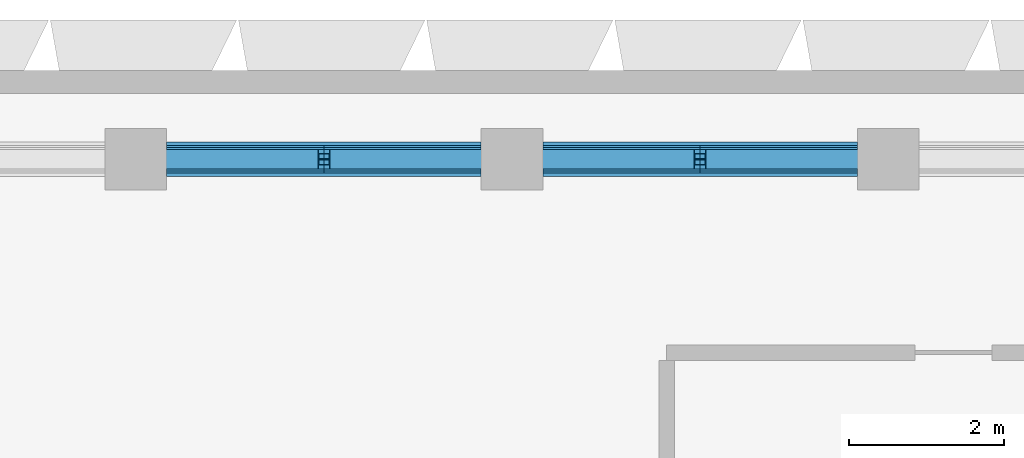
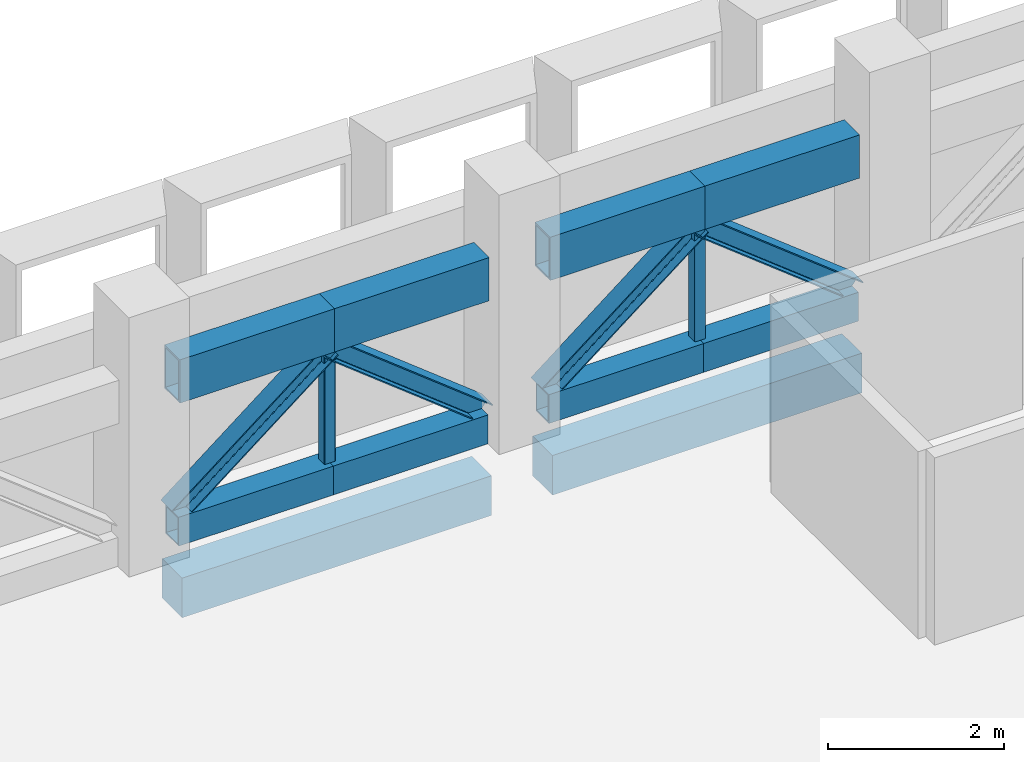
# One storey, part 8 of 24: 14 members, 2 beams.
"""IFC4 building model written with IfcOpenShell, lengths in metres."""

from ifc_helpers import new_model, si_unit, direction, frame, origin, origin_2d, place, context, subcontext, project, spatial, rectangle, hollow_rectangle, i_section, extrude, material, material_profile, profile_set, type_object, element, save


model = new_model("IFC4")

# Units and contexts
model_context = context("Model", 3, precision=1e-05, world=origin(), true_north=direction((0.0, 1.0)))
body_context = subcontext(model_context, "Body", "Model", "MODEL_VIEW")
ifc_project = project(units=[si_unit("LENGTHUNIT", "METRE"), si_unit("AREAUNIT", "SQUARE_METRE"), si_unit("VOLUMEUNIT", "CUBIC_METRE"), si_unit("PLANEANGLEUNIT", "RADIAN"), si_unit("MASSUNIT", "GRAM", prefix="KILO")], contexts=[model_context])

# Site, building, storey
site_placement = place(None, origin())
site = spatial("IfcSite", under=ifc_project, at=site_placement, CompositionType="ELEMENT")
building_placement = place(site_placement, origin())
building = spatial("IfcBuilding", under=site, at=building_placement, Name="Beryl Residences", CompositionType="ELEMENT")
storey_placement = place(building_placement, frame((0.0, 0.0, 199.199951171875)))
storey = spatial("IfcBuildingStorey", under=building, at=storey_placement, Name="L61", CompositionType="ELEMENT", Elevation=199.199951171875)

# Members
ifc_material_1 = material(Name="Steel S355", Category="steel")
ifc_material_profile_1 = material_profile(ifc_material_1, hollow_rectangle(XDim=0.300048828125, YDim=0.39990234375, WallThickness=0.02001953125, at=origin_2d()))
ifc_profile_set_1 = profile_set([ifc_material_profile_1], Name="Steel S355")
member_type_1 = type_object("IfcMemberType", Name="BB4 belt truss bottom chord WB 400x300x20", PredefinedType="CHORD", material=ifc_profile_set_1)
member_1_placement = place(storey_placement, frame((4.464111328125, 23.050048828125, 0.199951171875), z_axis=(-1.0, 0.0, 0.0), x_axis=(0.0, -1.0, 0.0)))
element("IfcMember", 1, at=member_1_placement, inside=storey, type_object=member_type_1, Name="Belt truss BB4-N-1a L61", PredefinedType="CHORD", context=body_context, shape_type="SweptSolid", body=[
    extrude(hollow_rectangle(XDim=0.300048828125, YDim=0.39990234375, WallThickness=0.02001953125, at=origin_2d()), origin(), (0.0, 0.0, 1.0), 2.0322265625),
])
for number, where, z_axis, x_axis, name in (
    (2, (2.431884765625, 23.050048828125, 0.199951171875), (-1.0, 0.0, 0.0), (0.0, -1.0, 0.0), "Belt truss BB4-N-1b L61"),
    (3, (-0.39990234375, 23.050048828125, 0.199951171875), (-1.0, 0.0, 0.0), (0.0, -1.0, 0.0), "Belt truss BB4-N-2a L61"),
):
    element("IfcMember", number, at=place(storey_placement, frame(where, z_axis=z_axis, x_axis=x_axis)), inside=storey, type_object=member_type_1, Name=name, PredefinedType="CHORD", context=body_context, shape_type="SweptSolid", body=[
        extrude(hollow_rectangle(XDim=0.300048828125, YDim=0.39990234375, WallThickness=0.02001953125, at=origin_2d()), origin(), (0.0, 0.0, 1.0), 2.031982421875),
    ])
member_2_placement = place(storey_placement, frame((-2.431884765625, 23.050048828125, 0.199951171875), z_axis=(-1.0, 0.0, 0.0), x_axis=(0.0, -1.0, 0.0)))
element("IfcMember", 4, at=member_2_placement, inside=storey, type_object=member_type_1, Name="Belt truss BB4-N-2b L61", PredefinedType="CHORD", context=body_context, shape_type="SweptSolid", body=[
    extrude(hollow_rectangle(XDim=0.300048828125, YDim=0.39990234375, WallThickness=0.02001953125, at=origin_2d()), origin(), (0.0, 0.0, 1.0), 2.0322265625),
])
ifc_material_2 = material(Name="Steel S355", Category="steel")
ifc_material_profile_2 = material_profile(ifc_material_2, i_section(OverallWidth=0.25390625, OverallDepth=0.25390625, WebThickness=0.008544921875, FlangeThickness=0.01416015625, FilletRadius=0.013916015625, at=origin_2d()))
ifc_profile_set_2 = profile_set([ifc_material_profile_2], Name="Steel S355")
member_type_2 = type_object("IfcMemberType", Name="BD4 belt truss diagonal 250UC73", PredefinedType="BRACE", material=ifc_profile_set_2)
member_3_placement = place(storey_placement, frame((4.464111328125, 23.050048828125, 0.400146484375), z_axis=(-0.785734949929, 0.0, 0.618563326152), x_axis=(0.0, -1.0, 0.0)))
element("IfcMember", 5, at=member_3_placement, inside=storey, type_object=member_type_2, Name="Belt truss BD4-N-1a L61", PredefinedType="BRACE", context=body_context, shape_type="SweptSolid", body=[
    extrude(i_section(OverallWidth=0.25390625, OverallDepth=0.25390625, WebThickness=0.008544921875, FlangeThickness=0.01416015625, FilletRadius=0.013916015625, at=origin_2d()), origin(), (0.0, 0.0, 1.0), 2.58642578125),
])
for number, where, z_axis, x_axis, name in (
    (6, (0.39990234375, 23.050048828125, 0.400146484375), (0.785698828855, 0.0, 0.618609206475), (0.0, 1.0, 0.0), "Belt truss BD4-N-1b L61"),
    (7, (-0.39990234375, 23.050048828125, 0.400146484375), (-0.785698828855, 0.0, 0.618609206475), (0.0, -1.0, 0.0), "Belt truss BD4-N-2a L61"),
):
    element("IfcMember", number, at=place(storey_placement, frame(where, z_axis=z_axis, x_axis=x_axis)), inside=storey, type_object=member_type_2, Name=name, PredefinedType="BRACE", context=body_context, shape_type="SweptSolid", body=[
        extrude(i_section(OverallWidth=0.25390625, OverallDepth=0.25390625, WebThickness=0.008544921875, FlangeThickness=0.01416015625, FilletRadius=0.013916015625, at=origin_2d()), origin(), (0.0, 0.0, 1.0), 2.586181640625),
    ])
member_4_placement = place(storey_placement, frame((-4.464111328125, 23.050048828125, 0.400146484375), z_axis=(0.785734949929, 0.0, 0.618563326152), x_axis=(0.0, 1.0, 0.0)))
element("IfcMember", 8, at=member_4_placement, inside=storey, type_object=member_type_2, Name="Belt truss BD4-N-2b L61", PredefinedType="BRACE", context=body_context, shape_type="SweptSolid", body=[
    extrude(i_section(OverallWidth=0.25390625, OverallDepth=0.25390625, WebThickness=0.008544921875, FlangeThickness=0.01416015625, FilletRadius=0.013916015625, at=origin_2d()), origin(), (0.0, 0.0, 1.0), 2.58642578125),
])
ifc_material_3 = material(Name="Steel S355", Category="steel")
ifc_material_profile_3 = material_profile(ifc_material_3, hollow_rectangle(XDim=0.14990234375, YDim=0.14990234375, WallThickness=0.009033203125, InnerFilletRadius=0.009033203125, OuterFilletRadius=0.01806640625, at=origin_2d()))
ifc_profile_set_3 = profile_set([ifc_material_profile_3], Name="Steel S355")
member_type_3 = type_object("IfcMemberType", Name="BQ4 belt truss post SHS 150x150x9", PredefinedType="POST", material=ifc_profile_set_3)
for number, where, z_axis, x_axis, name in (
    (9, (2.431884765625, 23.050048828125, 0.400146484375), (0.0, 0.0, 1.0), (1.0, 0.0, 0.0), "Belt truss BQ4-N-1 L61"),
    (10, (-2.431884765625, 23.050048828125, 0.400146484375), (0.0, 0.0, 1.0), (1.0, 0.0, 0.0), "Belt truss BQ4-N-2 L61"),
):
    element("IfcMember", number, at=place(storey_placement, frame(where, z_axis=z_axis, x_axis=x_axis)), inside=storey, type_object=member_type_3, Name=name, PredefinedType="POST", context=body_context, shape_type="SweptSolid", body=[
        extrude(hollow_rectangle(XDim=0.14990234375, YDim=0.14990234375, WallThickness=0.009033203125, InnerFilletRadius=0.009033203125, OuterFilletRadius=0.01806640625, at=origin_2d()), origin(), (0.0, 0.0, 1.0), 1.599853515625),
    ])
ifc_material_4 = material(Name="Steel S355", Category="steel")
ifc_material_profile_4 = material_profile(ifc_material_4, hollow_rectangle(XDim=0.35009765625, YDim=0.60009765625, WallThickness=0.02490234375, at=origin_2d()))
ifc_profile_set_4 = profile_set([ifc_material_profile_4], Name="Steel S355")
member_type_4 = type_object("IfcMemberType", Name="BT4 belt truss top chord WB 600x350x25", PredefinedType="CHORD", material=ifc_profile_set_4)
member_5_placement = place(storey_placement, frame((4.464111328125, 23.050048828125, 2.300048828125), z_axis=(-1.0, 0.0, 0.0), x_axis=(0.0, -1.0, 0.0)))
element("IfcMember", 11, at=member_5_placement, inside=storey, type_object=member_type_4, Name="Belt truss BT4-N-1a L61", PredefinedType="CHORD", context=body_context, shape_type="SweptSolid", body=[
    extrude(hollow_rectangle(XDim=0.35009765625, YDim=0.60009765625, WallThickness=0.02490234375, at=origin_2d()), origin(), (0.0, 0.0, 1.0), 2.0322265625),
])
for number, where, z_axis, x_axis, name in (
    (12, (2.431884765625, 23.050048828125, 2.300048828125), (-1.0, 0.0, 0.0), (0.0, -1.0, 0.0), "Belt truss BT4-N-1b L61"),
    (13, (-0.39990234375, 23.050048828125, 2.300048828125), (-1.0, 0.0, 0.0), (0.0, -1.0, 0.0), "Belt truss BT4-N-2a L61"),
):
    element("IfcMember", number, at=place(storey_placement, frame(where, z_axis=z_axis, x_axis=x_axis)), inside=storey, type_object=member_type_4, Name=name, PredefinedType="CHORD", context=body_context, shape_type="SweptSolid", body=[
        extrude(hollow_rectangle(XDim=0.35009765625, YDim=0.60009765625, WallThickness=0.02490234375, at=origin_2d()), origin(), (0.0, 0.0, 1.0), 2.031982421875),
    ])
member_6_placement = place(storey_placement, frame((-2.431884765625, 23.050048828125, 2.300048828125), z_axis=(-1.0, 0.0, 0.0), x_axis=(0.0, -1.0, 0.0)))
element("IfcMember", 14, at=member_6_placement, inside=storey, type_object=member_type_4, Name="Belt truss BT4-N-2b L61", PredefinedType="CHORD", context=body_context, shape_type="SweptSolid", body=[
    extrude(hollow_rectangle(XDim=0.35009765625, YDim=0.60009765625, WallThickness=0.02490234375, at=origin_2d()), origin(), (0.0, 0.0, 1.0), 2.0322265625),
])

# Beams
ifc_material_5 = material(Name="Concrete C50/60", Category="concrete")
ifc_material_profile_5 = material_profile(ifc_material_5, rectangle(XDim=0.449951171875, YDim=0.550048828125, at=origin_2d()))
ifc_profile_set_5 = profile_set([ifc_material_profile_5], Name="Concrete C50/60")
beam_type = type_object("IfcBeamType", Name="SB4 spandrel beam 450 x 550 C50/60", PredefinedType="SPANDREL", material=ifc_profile_set_5)
for number, where, z_axis, x_axis, name in (
    (15, (4.464111328125, 23.050048828125, -0.675048828125), (-1.0, 0.0, 0.0), (0.0, -1.0, 0.0), "SB4 L61 N-1"),
    (16, (-0.39990234375, 23.050048828125, -0.675048828125), (-1.0, 0.0, 0.0), (0.0, -1.0, 0.0), "SB4 L61 N-2"),
):
    element("IfcBeam", number, at=place(storey_placement, frame(where, z_axis=z_axis, x_axis=x_axis)), inside=storey, type_object=beam_type, Name=name, PredefinedType="SPANDREL", context=body_context, shape_type="SweptSolid", body=[
        extrude(rectangle(XDim=0.449951171875, YDim=0.550048828125, at=origin_2d()), origin(), (0.0, 0.0, 1.0), 4.064208984375),
    ])

save(model, "model.ifc")
